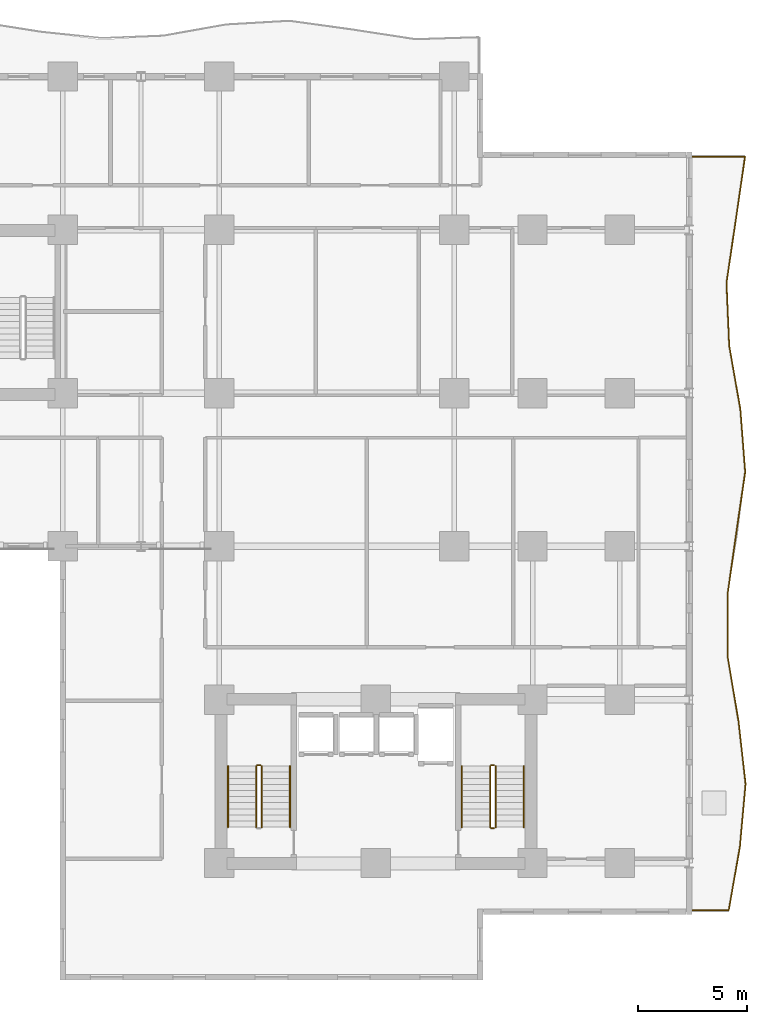
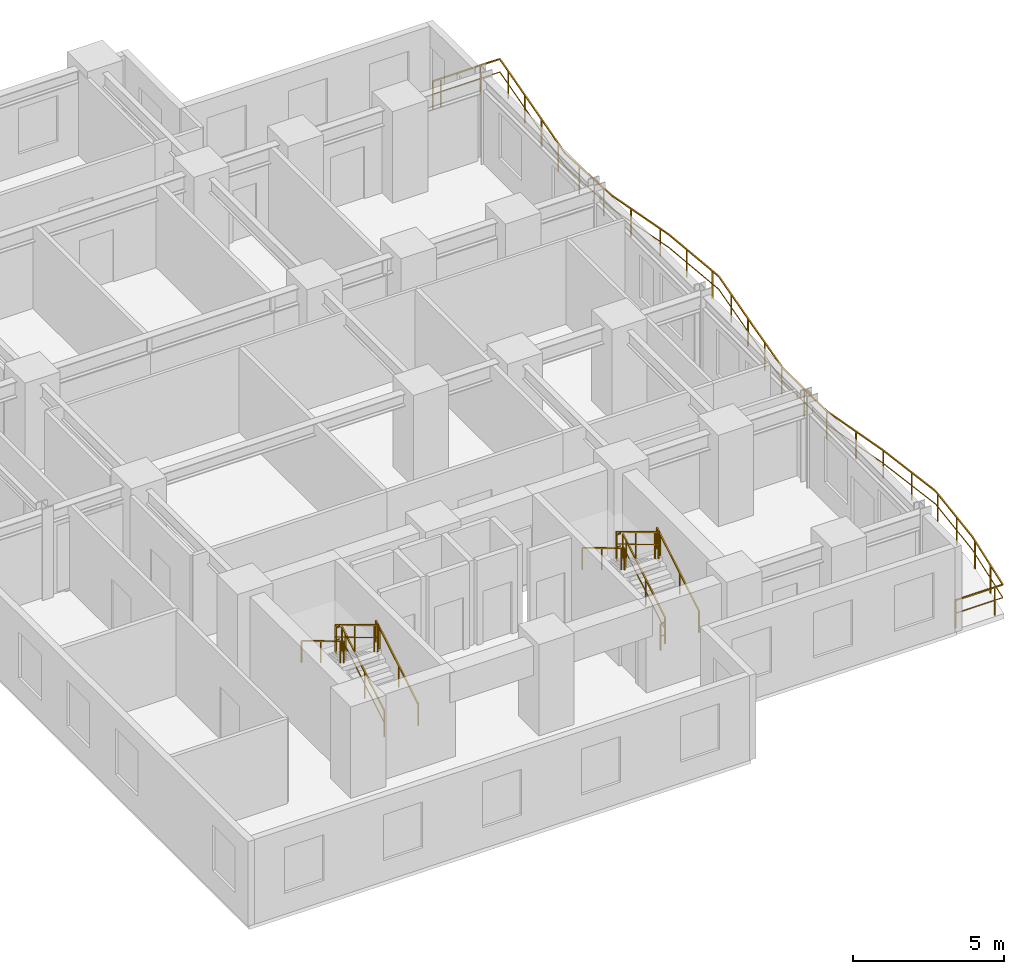
# One storey, part 10 of 11: 12 railings.
"""IFC4 building model written with IfcOpenShell, lengths in metres."""

from ifc_helpers import new_model, si_unit, direction, frame, origin, origin_2d, place, context, subcontext, project, spatial, rectangle, extrude, material, type_object, element, save


model = new_model("IFC4")

# Units and contexts
model_context = context("Model", 3, precision=1e-05, world=origin(), true_north=direction((0.0, 1.0)))
body_context = subcontext(model_context, "Body", "Model", "MODEL_VIEW")
ifc_project = project(units=[si_unit("LENGTHUNIT", "METRE"), si_unit("AREAUNIT", "SQUARE_METRE"), si_unit("VOLUMEUNIT", "CUBIC_METRE"), si_unit("PLANEANGLEUNIT", "RADIAN"), si_unit("MASSUNIT", "GRAM", prefix="KILO")], contexts=[model_context])

# Site, building, storey
site_placement = place(None, origin())
site = spatial("IfcSite", under=ifc_project, at=site_placement, CompositionType="ELEMENT")
building_placement = place(site_placement, origin())
building = spatial("IfcBuilding", under=site, at=building_placement, Name="Kaliganga Portal Commons", CompositionType="ELEMENT")
storey_placement = place(building_placement, frame((0.0, 0.0, 58.60009765625)))
storey = spatial("IfcBuildingStorey", under=building, at=storey_placement, Name="L14", CompositionType="ELEMENT", Elevation=58.60009765625)

# Railings
ifc_material_1 = material(Name="Laminated Safety Glass and Stainless Steel 316", Category="steel")
railing_type_1 = type_object("IfcRailingType", Name="RLG-BAL-1150", PredefinedType="BALUSTRADE", material=ifc_material_1)
railing_1_placement = place(storey_placement, frame((57.6083984375, 4.87939453125, 0.0)))
element("IfcRailing", 1, at=railing_1_placement, inside=storey, type_object=railing_type_1, Name="Balcony Guardrail L14 balc_east", PredefinedType="BALUSTRADE", context=body_context, shape_type="SweptSolid", body=[
    extrude(rectangle(XDim=0.048095703125, YDim=0.048095703125, at=origin_2d()), frame((0.0, 0.0, 1.1259765625), z_axis=(0.999999963693, 0.000269469136, 0.0), x_axis=(-0.000269469136, 0.999999963693, 0.0)), (0.0, 0.0, 1.0), 1.81201171875),
    extrude(rectangle(XDim=0.028076171875, YDim=0.028076171875, at=origin_2d()), frame((0.0, 0.0, 0.597900390625), z_axis=(0.999999963693, 0.000269469136, 0.0), x_axis=(-0.000269469136, 0.999999963693, 0.0)), (0.0, 0.0, 1.0), 1.81201171875),
    extrude(rectangle(XDim=0.048095703125, YDim=0.048095703125, at=origin_2d()), frame((1.81201171875, 0.00048828125, 1.1259765625), z_axis=(0.173359651482, 0.984858584386, 0.0), x_axis=(-0.984858584386, 0.173359651482, 0.0)), (0.0, 0.0, 1.0), 2.94482421875),
    extrude(rectangle(XDim=0.028076171875, YDim=0.028076171875, at=origin_2d()), frame((1.81201171875, 0.00048828125, 0.597900390625), z_axis=(0.173359651482, 0.984858584386, 0.0), x_axis=(-0.984858584386, 0.173359651482, 0.0)), (0.0, 0.0, 1.0), 2.94482421875),
    extrude(rectangle(XDim=0.048095703125, YDim=0.048095703125, at=origin_2d()), frame((2.322509765625, 2.900634765625, 1.1259765625), z_axis=(0.090308930089, 0.995913800058, 0.0), x_axis=(-0.995913800058, 0.090308930089, 0.0)), (0.0, 0.0, 1.0), 2.91162109375),
    extrude(rectangle(XDim=0.028076171875, YDim=0.028076171875, at=origin_2d()), frame((2.322509765625, 2.900634765625, 0.597900390625), z_axis=(0.090308930089, 0.995913800058, 0.0), x_axis=(-0.995913800058, 0.090308930089, 0.0)), (0.0, 0.0, 1.0), 2.91162109375),
    extrude(rectangle(XDim=0.048095703125, YDim=0.048095703125, at=origin_2d()), frame((2.58544921875, 5.80029296875, 1.1259765625), z_axis=(-0.112010581008, 0.993707014035, 0.0), x_axis=(-0.993707014035, -0.112010581008, 0.0)), (0.0, 0.0, 1.0), 2.91845703125),
    extrude(rectangle(XDim=0.028076171875, YDim=0.028076171875, at=origin_2d()), frame((2.58544921875, 5.80029296875, 0.597900390625), z_axis=(-0.112010581008, 0.993707014035, 0.0), x_axis=(-0.993707014035, -0.112010581008, 0.0)), (0.0, 0.0, 1.0), 2.91845703125),
    extrude(rectangle(XDim=0.048095703125, YDim=0.048095703125, at=origin_2d()), frame((2.258544921875, 8.700439453125, 1.1259765625), z_axis=(-0.166269790357, 0.986080299375, 0.0), x_axis=(-0.986080299375, -0.166269790357, 0.0)), (0.0, 0.0, 1.0), 2.941162109375),
    extrude(rectangle(XDim=0.028076171875, YDim=0.028076171875, at=origin_2d()), frame((2.258544921875, 8.700439453125, 0.597900390625), z_axis=(-0.166269790357, 0.986080299375, 0.0), x_axis=(-0.986080299375, -0.166269790357, 0.0)), (0.0, 0.0, 1.0), 2.941162109375),
    extrude(rectangle(XDim=0.048095703125, YDim=0.048095703125, at=origin_2d()), frame((1.76953125, 11.6005859375, 1.1259765625), z_axis=(-0.005051291003, 0.999987242148, 0.0), x_axis=(-0.999987242148, -0.005051291003, 0.0)), (0.0, 0.0, 1.0), 2.89990234375),
    extrude(rectangle(XDim=0.028076171875, YDim=0.028076171875, at=origin_2d()), frame((1.76953125, 11.6005859375, 0.597900390625), z_axis=(-0.005051291003, 0.999987242148, 0.0), x_axis=(-0.999987242148, -0.005051291003, 0.0)), (0.0, 0.0, 1.0), 2.89990234375),
    extrude(rectangle(XDim=0.048095703125, YDim=0.048095703125, at=origin_2d()), frame((1.7548828125, 14.50048828125, 1.1259765625), z_axis=(0.140317245008, 0.990106595652, 0.0), x_axis=(-0.990106595652, 0.140317245008, 0.0)), (0.0, 0.0, 1.0), 2.84814453125),
    extrude(rectangle(XDim=0.028076171875, YDim=0.028076171875, at=origin_2d()), frame((1.7548828125, 14.50048828125, 0.597900390625), z_axis=(0.140317245008, 0.990106595652, 0.0), x_axis=(-0.990106595652, 0.140317245008, 0.0)), (0.0, 0.0, 1.0), 2.84814453125),
    extrude(rectangle(XDim=0.048095703125, YDim=0.048095703125, at=origin_2d()), frame((2.154541015625, 17.320556640625, 1.1259765625), z_axis=(0.144979018425, 0.989434729639, 0.0), x_axis=(-0.989434729639, 0.144979018425, 0.0)), (0.0, 0.0, 1.0), 2.8525390625),
    extrude(rectangle(XDim=0.028076171875, YDim=0.028076171875, at=origin_2d()), frame((2.154541015625, 17.320556640625, 0.597900390625), z_axis=(0.144979018425, 0.989434729639, 0.0), x_axis=(-0.989434729639, 0.144979018425, 0.0)), (0.0, 0.0, 1.0), 2.8525390625),
    extrude(rectangle(XDim=0.048095703125, YDim=0.048095703125, at=origin_2d()), frame((2.568115234375, 20.14306640625, 1.1259765625), z_axis=(-0.077107574656, 0.997022779043, 0.0), x_axis=(-0.997022779043, -0.077107574656, 0.0)), (0.0, 0.0, 1.0), 2.906494140625),
    extrude(rectangle(XDim=0.028076171875, YDim=0.028076171875, at=origin_2d()), frame((2.568115234375, 20.14306640625, 0.597900390625), z_axis=(-0.077107574656, 0.997022779043, 0.0), x_axis=(-0.997022779043, -0.077107574656, 0.0)), (0.0, 0.0, 1.0), 2.906494140625),
    extrude(rectangle(XDim=0.048095703125, YDim=0.048095703125, at=origin_2d()), frame((2.343994140625, 23.041015625, 1.1259765625), z_axis=(-0.173548815858, 0.984825268012, 0.0), x_axis=(-0.984825268012, -0.173548815858, 0.0)), (0.0, 0.0, 1.0), 2.9443359375),
    extrude(rectangle(XDim=0.028076171875, YDim=0.028076171875, at=origin_2d()), frame((2.343994140625, 23.041015625, 0.597900390625), z_axis=(-0.173548815858, 0.984825268012, 0.0), x_axis=(-0.984825268012, -0.173548815858, 0.0)), (0.0, 0.0, 1.0), 2.9443359375),
    extrude(rectangle(XDim=0.048095703125, YDim=0.048095703125, at=origin_2d()), frame((1.8330078125, 25.940673828125, 1.1259765625), z_axis=(-0.042561163054, 0.999093863158, 0.0), x_axis=(-0.999093863158, -0.042561163054, 0.0)), (0.0, 0.0, 1.0), 2.902587890625),
    extrude(rectangle(XDim=0.028076171875, YDim=0.028076171875, at=origin_2d()), frame((1.8330078125, 25.940673828125, 0.597900390625), z_axis=(-0.042561163054, 0.999093863158, 0.0), x_axis=(-0.999093863158, -0.042561163054, 0.0)), (0.0, 0.0, 1.0), 2.902587890625),
    extrude(rectangle(XDim=0.048095703125, YDim=0.048095703125, at=origin_2d()), frame((1.70947265625, 28.840576171875, 1.1259765625), z_axis=(0.146234771308, 0.989249913652, 0.0), x_axis=(-0.989249913652, 0.146234771308, 0.0)), (0.0, 0.0, 1.0), 2.931640625),
    extrude(rectangle(XDim=0.028076171875, YDim=0.028076171875, at=origin_2d()), frame((1.70947265625, 28.840576171875, 0.597900390625), z_axis=(0.146234771308, 0.989249913652, 0.0), x_axis=(-0.989249913652, 0.146234771308, 0.0)), (0.0, 0.0, 1.0), 2.931640625),
    extrude(rectangle(XDim=0.048095703125, YDim=0.048095703125, at=origin_2d()), frame((2.13818359375, 31.74072265625, 1.1259765625), z_axis=(0.144453040332, 0.989511656899, 0.0), x_axis=(-0.989511656899, 0.144453040332, 0.0)), (0.0, 0.0, 1.0), 2.9306640625),
    extrude(rectangle(XDim=0.028076171875, YDim=0.028076171875, at=origin_2d()), frame((2.13818359375, 31.74072265625, 0.597900390625), z_axis=(0.144453040332, 0.989511656899, 0.0), x_axis=(-0.989511656899, 0.144453040332, 0.0)), (0.0, 0.0, 1.0), 2.9306640625),
    extrude(rectangle(XDim=0.048095703125, YDim=0.048095703125, at=origin_2d()), frame((2.5615234375, 34.640625, 1.1259765625), z_axis=(-0.999999981832, 0.000190621422, 0.0), x_axis=(-0.000190621422, -0.999999981832, 0.0)), (0.0, 0.0, 1.0), 2.5615234375),
    extrude(rectangle(XDim=0.028076171875, YDim=0.028076171875, at=origin_2d()), frame((2.5615234375, 34.640625, 0.597900390625), z_axis=(-0.999999981832, 0.000190621422, 0.0), x_axis=(-0.000190621422, -0.999999981832, 0.0)), (0.0, 0.0, 1.0), 2.5615234375),
    extrude(rectangle(XDim=0.0419921875, YDim=0.0419921875, at=origin_2d()), origin(), (0.0, 0.0, 1.0), 1.101806640625),
    extrude(rectangle(XDim=0.0419921875, YDim=0.0419921875, at=origin_2d()), frame((1.5, 0.00048828125, 0.0)), (0.0, 0.0, 1.0), 1.101806640625),
    extrude(rectangle(XDim=0.0419921875, YDim=0.0419921875, at=origin_2d()), frame((2.01806640625, 1.17041015625, 0.0)), (0.0, 0.0, 1.0), 1.101806640625),
    extrude(rectangle(XDim=0.0419921875, YDim=0.0419921875, at=origin_2d()), frame((2.278076171875, 2.647705078125, 0.0)), (0.0, 0.0, 1.0), 1.101806640625),
    extrude(rectangle(XDim=0.0419921875, YDim=0.0419921875, at=origin_2d()), frame((2.434814453125, 4.138916015625, 0.0)), (0.0, 0.0, 1.0), 1.101806640625),
    extrude(rectangle(XDim=0.0419921875, YDim=0.0419921875, at=origin_2d()), frame((2.5703125, 5.632568359375, 0.0)), (0.0, 0.0, 1.0), 1.101806640625),
    extrude(rectangle(XDim=0.0419921875, YDim=0.0419921875, at=origin_2d()), frame((2.436279296875, 7.12353515625, 0.0)), (0.0, 0.0, 1.0), 1.101806640625),
    extrude(rectangle(XDim=0.0419921875, YDim=0.0419921875, at=origin_2d()), frame((2.258544921875, 8.700439453125, 0.0)), (0.0, 0.0, 1.0), 1.101806640625),
    extrude(rectangle(XDim=0.0419921875, YDim=0.0419921875, at=origin_2d()), frame((2.023681640625, 10.093994140625, 0.0)), (0.0, 0.0, 1.0), 1.101806640625),
    extrude(rectangle(XDim=0.0419921875, YDim=0.0419921875, at=origin_2d()), frame((1.76953125, 11.6005859375, 0.0)), (0.0, 0.0, 1.0), 1.101806640625),
    extrude(rectangle(XDim=0.0419921875, YDim=0.0419921875, at=origin_2d()), frame((1.76220703125, 13.07275390625, 0.0)), (0.0, 0.0, 1.0), 1.101806640625),
    extrude(rectangle(XDim=0.0419921875, YDim=0.0419921875, at=origin_2d()), frame((1.764892578125, 14.572021484375, 0.0)), (0.0, 0.0, 1.0), 1.101806640625),
    extrude(rectangle(XDim=0.0419921875, YDim=0.0419921875, at=origin_2d()), frame((1.9755859375, 16.05712890625, 0.0)), (0.0, 0.0, 1.0), 1.101806640625),
    extrude(rectangle(XDim=0.0419921875, YDim=0.0419921875, at=origin_2d()), frame((2.18701171875, 17.5419921875, 0.0)), (0.0, 0.0, 1.0), 1.101806640625),
    extrude(rectangle(XDim=0.0419921875, YDim=0.0419921875, at=origin_2d()), frame((2.404541015625, 19.0263671875, 0.0)), (0.0, 0.0, 1.0), 1.101806640625),
    extrude(rectangle(XDim=0.0419921875, YDim=0.0419921875, at=origin_2d()), frame((2.53955078125, 20.51318359375, 0.0)), (0.0, 0.0, 1.0), 1.101806640625),
    extrude(rectangle(XDim=0.0419921875, YDim=0.0419921875, at=origin_2d()), frame((2.423828125, 22.0087890625, 0.0)), (0.0, 0.0, 1.0), 1.101806640625),
    extrude(rectangle(XDim=0.0419921875, YDim=0.0419921875, at=origin_2d()), frame((2.263427734375, 23.49853515625, 0.0)), (0.0, 0.0, 1.0), 1.101806640625),
    extrude(rectangle(XDim=0.0419921875, YDim=0.0419921875, at=origin_2d()), frame((2.0029296875, 24.975830078125, 0.0)), (0.0, 0.0, 1.0), 1.101806640625),
    extrude(rectangle(XDim=0.0419921875, YDim=0.0419921875, at=origin_2d()), frame((1.810791015625, 26.46044921875, 0.0)), (0.0, 0.0, 1.0), 1.101806640625),
    extrude(rectangle(XDim=0.0419921875, YDim=0.0419921875, at=origin_2d()), frame((1.7470703125, 27.959228515625, 0.0)), (0.0, 0.0, 1.0), 1.101806640625),
    extrude(rectangle(XDim=0.0419921875, YDim=0.0419921875, at=origin_2d()), frame((1.7998046875, 29.45166015625, 0.0)), (0.0, 0.0, 1.0), 1.101806640625),
    extrude(rectangle(XDim=0.0419921875, YDim=0.0419921875, at=origin_2d()), frame((2.019287109375, 30.935546875, 0.0)), (0.0, 0.0, 1.0), 1.101806640625),
    extrude(rectangle(XDim=0.0419921875, YDim=0.0419921875, at=origin_2d()), frame((2.2373046875, 32.419677734375, 0.0)), (0.0, 0.0, 1.0), 1.101806640625),
    extrude(rectangle(XDim=0.0419921875, YDim=0.0419921875, at=origin_2d()), frame((2.453857421875, 33.90380859375, 0.0)), (0.0, 0.0, 1.0), 1.101806640625),
    extrude(rectangle(XDim=0.0419921875, YDim=0.0419921875, at=origin_2d()), frame((1.80615234375, 34.640869140625, 0.0)), (0.0, 0.0, 1.0), 1.101806640625),
    extrude(rectangle(XDim=0.0419921875, YDim=0.0419921875, at=origin_2d()), frame((0.30615234375, 34.64111328125, 0.0)), (0.0, 0.0, 1.0), 1.101806640625),
    extrude(rectangle(XDim=0.0419921875, YDim=0.0419921875, at=origin_2d()), frame((0.0, 34.64111328125, 0.0)), (0.0, 0.0, 1.0), 1.101806640625),
])
ifc_material_2 = material(Name="Galvanized Painted Steel Balustrade", Category="steel")
railing_type_2 = type_object("IfcRailingType", Name="RLG-STAIR-GRD", PredefinedType="GUARDRAIL", material=ifc_material_2)
railing_2_placement = place(storey_placement, frame((37.949951171875, 8.699951171875, 0.16796875)))
element("IfcRailing", 2, at=railing_2_placement, inside=storey, type_object=railing_type_2, Name="L14 ST-B1 stair guard 1", PredefinedType="GUARDRAIL", context=body_context, shape_type="SweptSolid", body=[
    extrude(rectangle(XDim=0.048095703125, YDim=0.048095703125, at=origin_2d()), frame((0.0, 0.0, 1.072021484375), z_axis=(0.0, 0.857242210791, 0.514913383045), x_axis=(-1.0, 0.0, 0.0)), (0.0, 0.0, 1.0), 3.266357421875),
    extrude(rectangle(XDim=0.028076171875, YDim=0.028076171875, at=origin_2d()), frame((0.0, 0.0, 0.572021484375), z_axis=(0.0, 0.857242210791, 0.514913383045), x_axis=(-1.0, 0.0, 0.0)), (0.0, 0.0, 1.0), 3.266357421875),
    extrude(rectangle(XDim=0.0419921875, YDim=0.0419921875, at=origin_2d()), origin(), (0.0, 0.0, 1.0), 1.052001953125),
    extrude(rectangle(XDim=0.0419921875, YDim=0.0419921875, at=origin_2d()), frame((0.0, 1.285888671875, 0.7724609375)), (0.0, 0.0, 1.0), 1.052001953125),
    extrude(rectangle(XDim=0.0419921875, YDim=0.0419921875, at=origin_2d()), frame((0.0, 2.57177734375, 1.544677734375)), (0.0, 0.0, 1.0), 1.052001953125),
    extrude(rectangle(XDim=0.0419921875, YDim=0.0419921875, at=origin_2d()), frame((0.0, 2.800048828125, 1.681884765625)), (0.0, 0.0, 1.0), 1.052001953125),
])
railing_3_placement = place(storey_placement, frame((37.89990234375, 11.550048828125, 1.849853515625)))
element("IfcRailing", 3, at=railing_3_placement, inside=storey, type_object=railing_type_2, Name="L14 ST-B1 stair guard 2", PredefinedType="GUARDRAIL", context=body_context, shape_type="SweptSolid", body=[
    extrude(rectangle(XDim=0.048095703125, YDim=0.048095703125, at=origin_2d()), frame((0.0, 0.0, 1.076171875), z_axis=(-1.0, 0.0, 0.0), x_axis=(0.0, -1.0, 0.0)), (0.0, 0.0, 1.0), 0.14990234375),
    extrude(rectangle(XDim=0.028076171875, YDim=0.028076171875, at=origin_2d()), frame((0.0, 0.0, 0.572021484375), z_axis=(-1.0, 0.0, 0.0), x_axis=(0.0, -1.0, 0.0)), (0.0, 0.0, 1.0), 0.14990234375),
    extrude(rectangle(XDim=0.0419921875, YDim=0.0419921875, at=origin_2d()), frame((-0.14990234375, 0.0, 0.0)), (0.0, 0.0, 1.0), 1.052001953125),
])
railing_4_placement = place(storey_placement, frame((37.699951171875, 11.5, 2.01806640625)))
element("IfcRailing", 4, at=railing_4_placement, inside=storey, type_object=railing_type_2, Name="L14 ST-B1 stair guard 3", PredefinedType="GUARDRAIL", context=body_context, shape_type="SweptSolid", body=[
    extrude(rectangle(XDim=0.048095703125, YDim=0.048095703125, at=origin_2d()), frame((0.0, 0.0, 1.072021484375), z_axis=(0.0, -0.857242210791, 0.514913383045), x_axis=(1.0, 0.0, 0.0)), (0.0, 0.0, 1.0), 3.266357421875),
    extrude(rectangle(XDim=0.028076171875, YDim=0.028076171875, at=origin_2d()), frame((0.0, 0.0, 0.572021484375), z_axis=(0.0, -0.857242210791, 0.514913383045), x_axis=(1.0, 0.0, 0.0)), (0.0, 0.0, 1.0), 3.266357421875),
    extrude(rectangle(XDim=0.0419921875, YDim=0.0419921875, at=origin_2d()), origin(), (0.0, 0.0, 1.0), 1.052001953125),
    extrude(rectangle(XDim=0.0419921875, YDim=0.0419921875, at=origin_2d()), frame((0.0, -1.285888671875, 0.7724609375)), (0.0, 0.0, 1.0), 1.052001953125),
    extrude(rectangle(XDim=0.0419921875, YDim=0.0419921875, at=origin_2d()), frame((0.0, -2.57177734375, 1.544677734375)), (0.0, 0.0, 1.0), 1.052001953125),
    extrude(rectangle(XDim=0.0419921875, YDim=0.0419921875, at=origin_2d()), frame((0.0, -2.800048828125, 1.681884765625)), (0.0, 0.0, 1.0), 1.052001953125),
])
railing_5_placement = place(storey_placement, frame((48.699951171875, 8.699951171875, 0.16796875)))
element("IfcRailing", 5, at=railing_5_placement, inside=storey, type_object=railing_type_2, Name="L14 ST-B2 stair guard 1", PredefinedType="GUARDRAIL", context=body_context, shape_type="SweptSolid", body=[
    extrude(rectangle(XDim=0.048095703125, YDim=0.048095703125, at=origin_2d()), frame((0.0, 0.0, 1.072021484375), z_axis=(0.0, 0.857242210791, 0.514913383045), x_axis=(-1.0, 0.0, 0.0)), (0.0, 0.0, 1.0), 3.266357421875),
    extrude(rectangle(XDim=0.028076171875, YDim=0.028076171875, at=origin_2d()), frame((0.0, 0.0, 0.572021484375), z_axis=(0.0, 0.857242210791, 0.514913383045), x_axis=(-1.0, 0.0, 0.0)), (0.0, 0.0, 1.0), 3.266357421875),
    extrude(rectangle(XDim=0.0419921875, YDim=0.0419921875, at=origin_2d()), origin(), (0.0, 0.0, 1.0), 1.052001953125),
    extrude(rectangle(XDim=0.0419921875, YDim=0.0419921875, at=origin_2d()), frame((0.0, 1.285888671875, 0.7724609375)), (0.0, 0.0, 1.0), 1.052001953125),
    extrude(rectangle(XDim=0.0419921875, YDim=0.0419921875, at=origin_2d()), frame((0.0, 2.57177734375, 1.544677734375)), (0.0, 0.0, 1.0), 1.052001953125),
    extrude(rectangle(XDim=0.0419921875, YDim=0.0419921875, at=origin_2d()), frame((0.0, 2.800048828125, 1.681884765625)), (0.0, 0.0, 1.0), 1.052001953125),
])
railing_6_placement = place(storey_placement, frame((48.64990234375, 11.550048828125, 1.849853515625)))
element("IfcRailing", 6, at=railing_6_placement, inside=storey, type_object=railing_type_2, Name="L14 ST-B2 stair guard 2", PredefinedType="GUARDRAIL", context=body_context, shape_type="SweptSolid", body=[
    extrude(rectangle(XDim=0.048095703125, YDim=0.048095703125, at=origin_2d()), frame((0.0, 0.0, 1.076171875), z_axis=(-1.0, 0.0, 0.0), x_axis=(0.0, -1.0, 0.0)), (0.0, 0.0, 1.0), 0.14990234375),
    extrude(rectangle(XDim=0.028076171875, YDim=0.028076171875, at=origin_2d()), frame((0.0, 0.0, 0.572021484375), z_axis=(-1.0, 0.0, 0.0), x_axis=(0.0, -1.0, 0.0)), (0.0, 0.0, 1.0), 0.14990234375),
    extrude(rectangle(XDim=0.0419921875, YDim=0.0419921875, at=origin_2d()), frame((-0.14990234375, 0.0, 0.0)), (0.0, 0.0, 1.0), 1.052001953125),
])
railing_7_placement = place(storey_placement, frame((48.449951171875, 11.5, 2.01806640625)))
element("IfcRailing", 7, at=railing_7_placement, inside=storey, type_object=railing_type_2, Name="L14 ST-B2 stair guard 3", PredefinedType="GUARDRAIL", context=body_context, shape_type="SweptSolid", body=[
    extrude(rectangle(XDim=0.048095703125, YDim=0.048095703125, at=origin_2d()), frame((0.0, 0.0, 1.072021484375), z_axis=(0.0, -0.857242210791, 0.514913383045), x_axis=(1.0, 0.0, 0.0)), (0.0, 0.0, 1.0), 3.266357421875),
    extrude(rectangle(XDim=0.028076171875, YDim=0.028076171875, at=origin_2d()), frame((0.0, 0.0, 0.572021484375), z_axis=(0.0, -0.857242210791, 0.514913383045), x_axis=(1.0, 0.0, 0.0)), (0.0, 0.0, 1.0), 3.266357421875),
    extrude(rectangle(XDim=0.0419921875, YDim=0.0419921875, at=origin_2d()), origin(), (0.0, 0.0, 1.0), 1.052001953125),
    extrude(rectangle(XDim=0.0419921875, YDim=0.0419921875, at=origin_2d()), frame((0.0, -1.285888671875, 0.7724609375)), (0.0, 0.0, 1.0), 1.052001953125),
    extrude(rectangle(XDim=0.0419921875, YDim=0.0419921875, at=origin_2d()), frame((0.0, -2.57177734375, 1.544677734375)), (0.0, 0.0, 1.0), 1.052001953125),
    extrude(rectangle(XDim=0.0419921875, YDim=0.0419921875, at=origin_2d()), frame((0.0, -2.800048828125, 1.681884765625)), (0.0, 0.0, 1.0), 1.052001953125),
])
railing_8_placement = place(storey_placement, frame((48.64990234375, 8.64990234375, 0.0)))
element("IfcRailing", 8, at=railing_8_placement, inside=storey, type_object=railing_type_2, Name="L14 ST-B2 stair guard 4", PredefinedType="GUARDRAIL", context=body_context, shape_type="SweptSolid", body=[
    extrude(rectangle(XDim=0.048095703125, YDim=0.048095703125, at=origin_2d()), frame((0.0, 0.0, 1.076171875), z_axis=(-1.0, 0.0, 0.0), x_axis=(0.0, -1.0, 0.0)), (0.0, 0.0, 1.0), 0.14990234375),
    extrude(rectangle(XDim=0.028076171875, YDim=0.028076171875, at=origin_2d()), frame((0.0, 0.0, 0.572021484375), z_axis=(-1.0, 0.0, 0.0), x_axis=(0.0, -1.0, 0.0)), (0.0, 0.0, 1.0), 0.14990234375),
    extrude(rectangle(XDim=0.0419921875, YDim=0.0419921875, at=origin_2d()), frame((-0.14990234375, 0.0, 0.0)), (0.0, 0.0, 1.0), 1.052001953125),
])
ifc_material_3 = material(Name="Brushed Stainless Steel 316", Category="steel")
railing_type_3 = type_object("IfcRailingType", Name="RLG-STAIR-HR", PredefinedType="HANDRAIL", material=ifc_material_3)
railing_9_placement = place(storey_placement, frame((39.25, 8.699951171875, 0.16796875)))
element("IfcRailing", 9, at=railing_9_placement, inside=storey, type_object=railing_type_3, Name="L14 ST-B1 stair handrail 1", PredefinedType="HANDRAIL", context=body_context, shape_type="SweptSolid", body=[
    extrude(rectangle(XDim=0.048095703125, YDim=0.048095703125, at=origin_2d()), frame((0.0, 0.0, 0.871826171875), z_axis=(0.0, 0.857242210791, 0.514913383045), x_axis=(-1.0, 0.0, 0.0)), (0.0, 0.0, 1.0), 3.266357421875),
    extrude(rectangle(XDim=0.0419921875, YDim=0.0419921875, at=origin_2d()), origin(), (0.0, 0.0, 1.0), 0.851806640625),
    extrude(rectangle(XDim=0.0419921875, YDim=0.0419921875, at=origin_2d()), frame((0.0, 1.285888671875, 0.7724609375)), (0.0, 0.0, 1.0), 0.851806640625),
    extrude(rectangle(XDim=0.0419921875, YDim=0.0419921875, at=origin_2d()), frame((0.0, 2.57177734375, 1.544677734375)), (0.0, 0.0, 1.0), 0.851806640625),
    extrude(rectangle(XDim=0.0419921875, YDim=0.0419921875, at=origin_2d()), frame((0.0, 2.800048828125, 1.681884765625)), (0.0, 0.0, 1.0), 0.851806640625),
])
railing_10_placement = place(storey_placement, frame((36.39990234375, 11.5, 2.01806640625)))
element("IfcRailing", 10, at=railing_10_placement, inside=storey, type_object=railing_type_3, Name="L14 ST-B1 stair handrail 2", PredefinedType="HANDRAIL", context=body_context, shape_type="SweptSolid", body=[
    extrude(rectangle(XDim=0.048095703125, YDim=0.048095703125, at=origin_2d()), frame((0.0, 0.0, 0.871826171875), z_axis=(0.0, -0.857242210791, 0.514913383045), x_axis=(1.0, 0.0, 0.0)), (0.0, 0.0, 1.0), 3.266357421875),
    extrude(rectangle(XDim=0.0419921875, YDim=0.0419921875, at=origin_2d()), origin(), (0.0, 0.0, 1.0), 0.851806640625),
    extrude(rectangle(XDim=0.0419921875, YDim=0.0419921875, at=origin_2d()), frame((0.0, -1.285888671875, 0.7724609375)), (0.0, 0.0, 1.0), 0.851806640625),
    extrude(rectangle(XDim=0.0419921875, YDim=0.0419921875, at=origin_2d()), frame((0.0, -2.57177734375, 1.544677734375)), (0.0, 0.0, 1.0), 0.851806640625),
    extrude(rectangle(XDim=0.0419921875, YDim=0.0419921875, at=origin_2d()), frame((0.0, -2.800048828125, 1.681884765625)), (0.0, 0.0, 1.0), 0.851806640625),
])
railing_11_placement = place(storey_placement, frame((50.0, 8.699951171875, 0.16796875)))
element("IfcRailing", 11, at=railing_11_placement, inside=storey, type_object=railing_type_3, Name="L14 ST-B2 stair handrail 1", PredefinedType="HANDRAIL", context=body_context, shape_type="SweptSolid", body=[
    extrude(rectangle(XDim=0.048095703125, YDim=0.048095703125, at=origin_2d()), frame((0.0, 0.0, 0.871826171875), z_axis=(0.0, 0.857242210791, 0.514913383045), x_axis=(-1.0, 0.0, 0.0)), (0.0, 0.0, 1.0), 3.266357421875),
    extrude(rectangle(XDim=0.0419921875, YDim=0.0419921875, at=origin_2d()), origin(), (0.0, 0.0, 1.0), 0.851806640625),
    extrude(rectangle(XDim=0.0419921875, YDim=0.0419921875, at=origin_2d()), frame((0.0, 1.285888671875, 0.7724609375)), (0.0, 0.0, 1.0), 0.851806640625),
    extrude(rectangle(XDim=0.0419921875, YDim=0.0419921875, at=origin_2d()), frame((0.0, 2.57177734375, 1.544677734375)), (0.0, 0.0, 1.0), 0.851806640625),
    extrude(rectangle(XDim=0.0419921875, YDim=0.0419921875, at=origin_2d()), frame((0.0, 2.800048828125, 1.681884765625)), (0.0, 0.0, 1.0), 0.851806640625),
])
railing_12_placement = place(storey_placement, frame((47.14990234375, 11.5, 2.01806640625)))
element("IfcRailing", 12, at=railing_12_placement, inside=storey, type_object=railing_type_3, Name="L14 ST-B2 stair handrail 2", PredefinedType="HANDRAIL", context=body_context, shape_type="SweptSolid", body=[
    extrude(rectangle(XDim=0.048095703125, YDim=0.048095703125, at=origin_2d()), frame((0.0, 0.0, 0.871826171875), z_axis=(0.0, -0.857242210791, 0.514913383045), x_axis=(1.0, 0.0, 0.0)), (0.0, 0.0, 1.0), 3.266357421875),
    extrude(rectangle(XDim=0.0419921875, YDim=0.0419921875, at=origin_2d()), origin(), (0.0, 0.0, 1.0), 0.851806640625),
    extrude(rectangle(XDim=0.0419921875, YDim=0.0419921875, at=origin_2d()), frame((0.0, -1.285888671875, 0.7724609375)), (0.0, 0.0, 1.0), 0.851806640625),
    extrude(rectangle(XDim=0.0419921875, YDim=0.0419921875, at=origin_2d()), frame((0.0, -2.57177734375, 1.544677734375)), (0.0, 0.0, 1.0), 0.851806640625),
    extrude(rectangle(XDim=0.0419921875, YDim=0.0419921875, at=origin_2d()), frame((0.0, -2.800048828125, 1.681884765625)), (0.0, 0.0, 1.0), 0.851806640625),
])

save(model, "model.ifc")
